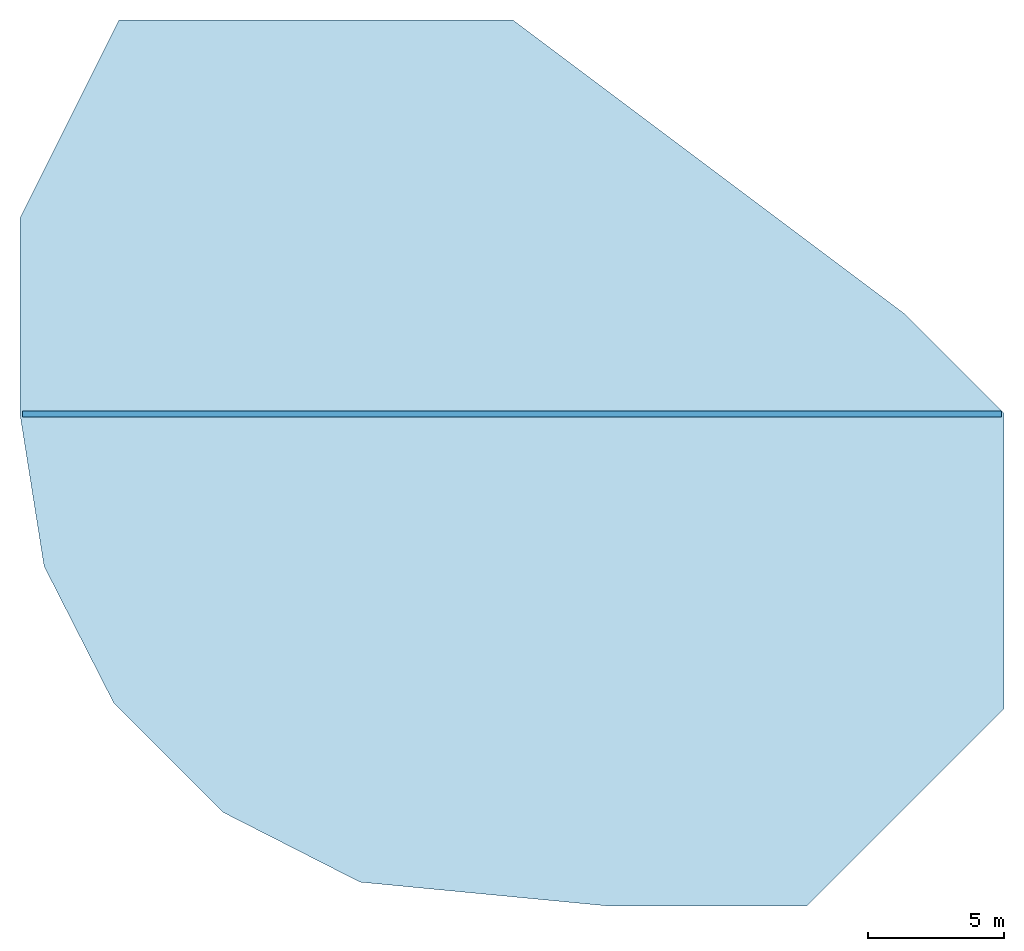
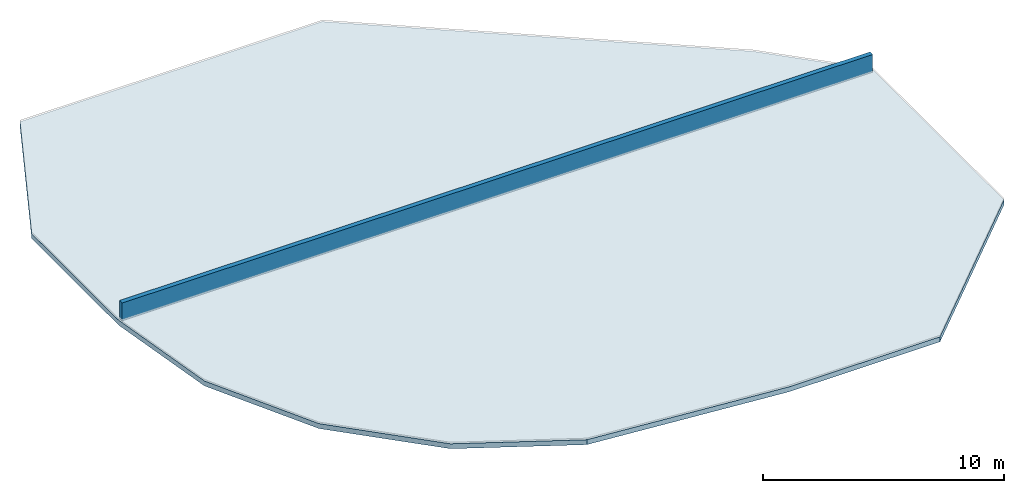
# One storey, part 1 of 2: 1 slab, 1 wall.
"""IFC4 building model written with IfcOpenShell, lengths in metres."""

from ifc_helpers import new_model, si_unit, direction, frame, frame_2d, origin, place, context, subcontext, project, spatial, polyline, rectangle, outline, extrude, material, layer, layer_set, type_object, element, save


model = new_model("IFC4")

# Units and contexts
model_context = context("Model", 3, precision=1e-05, world=origin(), true_north=direction((0.0, 1.0)))
body_context = subcontext(model_context, "Body", "Model", "MODEL_VIEW")
ifc_project = project(units=[si_unit("LENGTHUNIT", "METRE"), si_unit("AREAUNIT", "SQUARE_METRE"), si_unit("VOLUMEUNIT", "CUBIC_METRE"), si_unit("PLANEANGLEUNIT", "RADIAN"), si_unit("MASSUNIT", "GRAM", prefix="KILO")], contexts=[model_context])

# Site, building, storey
site_placement = place(None, origin())
site = spatial("IfcSite", under=ifc_project, at=site_placement, CompositionType="ELEMENT")
building_placement = place(site_placement, origin())
building = spatial("IfcBuilding", under=site, at=building_placement, Name="Solnavia Interchange Tower", CompositionType="ELEMENT")
storey_placement = place(building_placement, frame((0.0, 0.0, 331.199951171875)))
storey = spatial("IfcBuildingStorey", under=building, at=storey_placement, Name="ROOF", CompositionType="ELEMENT", Elevation=331.199951171875)

# Slab
ifc_material = material(Name="Concrete C40/50", Category="concrete")
ifc_layer_1 = layer(ifc_material, 0.25)
ifc_layer_set_1 = layer_set([ifc_layer_1], Name="Concrete C40/50")
slab_type = type_object("IfcSlabType", Name="Slab-CrownCap-250", PredefinedType="ROOF", material=ifc_layer_set_1)
slab_placement = place(storey_placement, frame((0.0, 0.0, -0.25)))
element("IfcSlab", 1, at=slab_placement, inside=storey, type_object=slab_type, Name="ROF-C06-TOP Crown ring top cap deck", PredefinedType="ROOF", context=body_context, shape_type="SweptSolid", body=[
    extrude(outline(polyline([(43.300048828125, 21.64111328125), (43.300048828125, 10.759033203125), (36.041015625, 3.5), (28.794921875, 3.5), (19.610107421875, 4.383056640625), (14.56005859375, 6.9560546875), (10.555908203125, 10.9599609375), (7.985107421875, 16.007080078125), (7.10009765625, 21.592041015625), (7.10009765625, 28.823974609375), (10.738037109375, 36.10009765625), (25.23291015625, 36.10009765625), (30.06005859375, 32.47998046875), (34.860107421875, 28.8798828125), (39.666015625, 25.27587890625), (43.300048828125, 21.64111328125)])), origin(), (0.0, 0.0, 1.0), 0.25),
])

# Wall
ifc_layer_2 = layer(ifc_material, 0.219970703125)
ifc_layer_set_2 = layer_set([ifc_layer_2], Name="Concrete C40/50")
wall_type = type_object("IfcWallType", Name="Wall-Parapet-220", PredefinedType="PARAPET", material=ifc_layer_set_2)
wall_placement = place(storey_placement, frame((43.199951171875, 21.60009765625, 0.0), z_axis=(0.0, 0.0, 1.0), x_axis=(-1.0, 0.0, 0.0)))
element("IfcWall", 2, at=wall_placement, inside=storey, type_object=wall_type, Name="PRP-C06-TOP Crown cap maintenance division upstand", PredefinedType="PARAPET", context=body_context, shape_type="SweptSolid", body=[
    extrude(rectangle(XDim=36.0, YDim=0.219970703125, at=frame_2d((18.0, 0.0))), origin(), (0.0, 0.0, 1.0), 0.900146484375),
])

save(model, "model.ifc")
